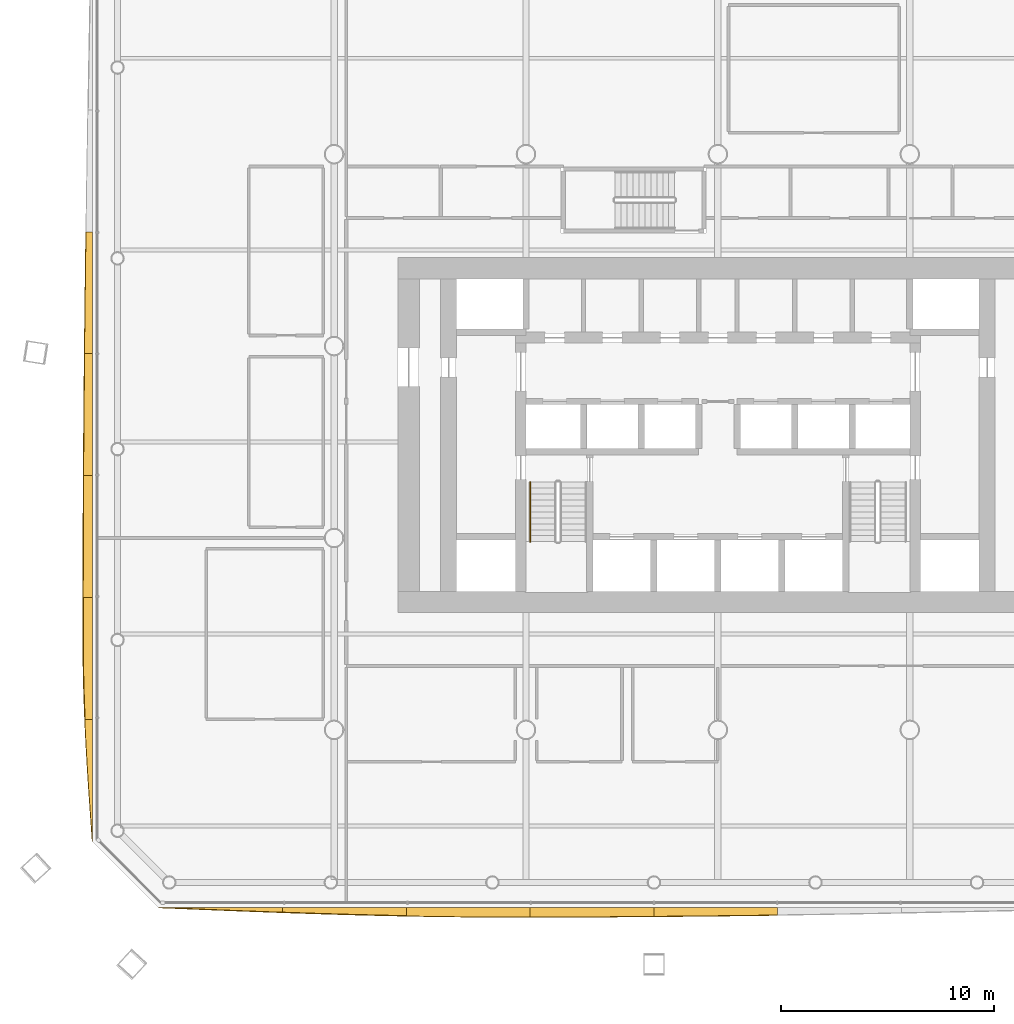
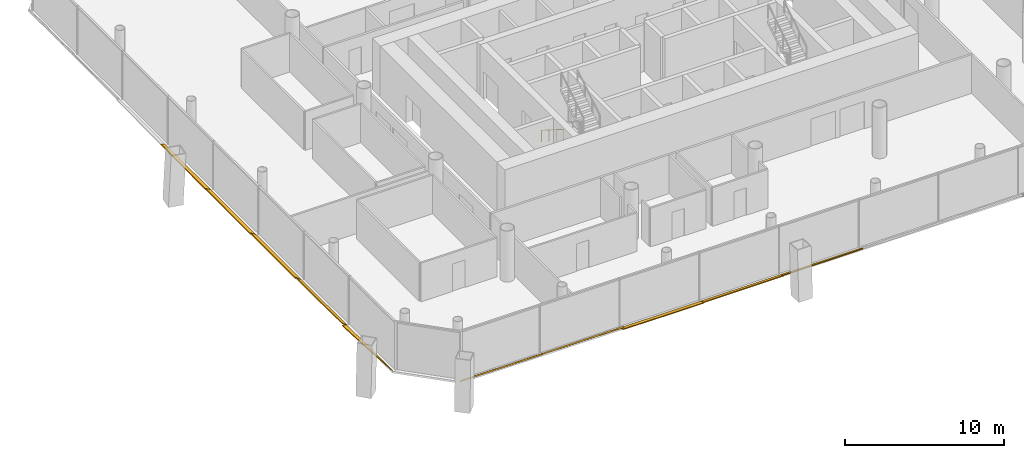
# One storey, part 16 of 20: 10 shading devices, 1 railing.
"""IFC4 building model written with IfcOpenShell, lengths in metres."""

from ifc_helpers import new_model, si_unit, direction, frame, origin, origin_2d, place, context, subcontext, project, spatial, polyline, circle, outline, extrude, material, layer, layer_set, type_object, element, save


model = new_model("IFC4")

# Units and contexts
model_context = context("Model", 3, precision=1e-05, world=origin(), true_north=direction((0.0, 1.0)))
body_context = subcontext(model_context, "Body", "Model", "MODEL_VIEW")
ifc_project = project(units=[si_unit("LENGTHUNIT", "METRE"), si_unit("AREAUNIT", "SQUARE_METRE"), si_unit("VOLUMEUNIT", "CUBIC_METRE"), si_unit("PLANEANGLEUNIT", "RADIAN"), si_unit("MASSUNIT", "GRAM", prefix="KILO")], contexts=[model_context])

# Site, building, storey
site_placement = place(None, origin())
site = spatial("IfcSite", under=ifc_project, at=site_placement, CompositionType="ELEMENT")
building_placement = place(site_placement, origin())
building = spatial("IfcBuilding", under=site, at=building_placement, Name="Tskaro Facet Tower", CompositionType="ELEMENT")
storey_placement = place(building_placement, frame((0.0, 0.0, 49.800048828125)))
storey = spatial("IfcBuildingStorey", under=building, at=storey_placement, Name="L11", CompositionType="ELEMENT", Elevation=49.800048828125)

# Shading devices
ifc_material_1 = material(Name="Bronze anodised aluminium 6063-T6", Category="aluminium")
ifc_layer = layer(ifc_material_1, 0.06005859375, Name="Bronze anodised aluminium 6063-T6")
ifc_layer_set = layer_set([ifc_layer], Name="Bronze anodised aluminium 6063-T6")
shading_device_type = type_object("IfcShadingDeviceType", Name="Bronze sun blade (FN1)", PredefinedType="USERDEFINED", material=ifc_layer_set)
shading_device_1_placement = place(storey_placement, frame((-26.22607421875, -26.322509765625, 0.049072265625), z_axis=(-1.3580784e-05, 0.57346234431, 0.819231920443), x_axis=(0.999999999908, 7.788068e-06, 1.1125811e-05)))
element("IfcShadingDevice", 1, at=shading_device_1_placement, inside=storey, type_object=shading_device_type, Name="Fin blade south 1", ObjectType="FIN", PredefinedType="USERDEFINED", context=body_context, shape_type="SweptSolid", body=[
    extrude(outline(polyline([(0.0, 0.0), (5.806640624464519, 0.0), (5.806640625551024, -0.27959089396815595), (5.080810546406454, -0.24734963772116636), (4.35498046753351, -0.21422834718455674), (3.6291503908335767, -0.18002701456523154), (2.903320312503886, -0.14514565544938177), (2.1774902344458207, -0.10938426204391193), (1.4516601555728772, -0.0732828553901798), (0.7258300777864386, -0.0366414276950899), (0.0, 0.0)])), origin(), (0.0, 0.0, -1.0), 0.06005859375),
])
shading_device_2_placement = place(storey_placement, frame((-20.41943359375, -26.318359375, 0.0458984375), z_axis=(-1.3960097e-05, 0.642688066279, 0.766127958808), x_axis=(0.999999999903, 8.971987e-06, 1.069522e-05)))
element("IfcShadingDevice", 2, at=shading_device_2_placement, inside=storey, type_object=shading_device_type, Name="Fin blade south 2", ObjectType="FIN", PredefinedType="USERDEFINED", context=body_context, shape_type="SweptSolid", body=[
    extrude(outline(polyline([(0.0, 0.0), (5.806396483809213, -4.918209127087164e-21), (5.806396485797756, -0.5119006385240311), (5.080566405580343, -0.49233189220039336), (4.354736327640227, -0.4706693138347905), (3.6289062493662714, -0.4467559971610261), (2.9030761733696133, -0.42074884844529664), (2.177490233283238, -0.39286504733882904), (1.4516601552698951, -0.3632313634153047), (0.7258300773434233, -0.3316908904085272), (3.452445456336694e-10, -0.2989315267683129), (0.0, 0.0)])), origin(), (0.0, 0.0, -1.0), 0.06005859375),
])
shading_device_3_placement = place(storey_placement, frame((-14.613037109375, -26.33642578125, 0.056396484375), z_axis=(-1.1000422e-05, 0.341953794503, 0.939716767066), x_axis=(0.999999999939, 3.761636e-06, 1.0337281e-05)))
element("IfcShadingDevice", 3, at=shading_device_3_placement, inside=storey, type_object=shading_device_type, Name="Fin blade south 3", ObjectType="FIN", PredefinedType="USERDEFINED", context=body_context, shape_type="SweptSolid", body=[
    extrude(outline(polyline([(0.0, 0.0), (5.806640624648671, 0.0), (5.806640625090977, -0.47181570001814377), (5.2026367179591535, -0.472045123056992), (5.0808105460915245, -0.472045123056992), (4.3549804684731495, -0.47050161519767036), (3.629150390630469, -0.46687226858821457), (2.9033203125634826, -0.4611570832286245), (2.1774902342721916, -0.45335605911890026), (1.451660156674963, -0.4432397732201935), (0.7258300779350609, -0.43126707161020084), (-1.0291463821138496e-09, -0.41720853125007396), (0.0, 0.0)])), origin(), (0.0, 0.0, -1.0), 0.06005859375),
])
shading_device_4_placement = place(storey_placement, frame((-8.806396484375, -26.33154296875, 0.054443359375), z_axis=(6.1084e-07, 0.422255740364, 0.906476745278), x_axis=(1.0, -2.5793e-07, -5.53712e-07)))
element("IfcShadingDevice", 4, at=shading_device_4_placement, inside=storey, type_object=shading_device_type, Name="Fin blade south 4", ObjectType="FIN", PredefinedType="USERDEFINED", context=body_context, shape_type="SweptSolid", body=[
    extrude(outline(polyline([(0.0, 0.0), (5.806396484373917, 1.5369403522147388e-22), (5.806396484367302, -0.46136590465613975), (5.0805664062759694, -0.46726557404084534), (4.35473632819388, -0.47261953804690837), (3.628906249995088, -0.47698518107604876), (2.9030761718685083, -0.4810264265256866), (2.177246093760411, -0.48397626121803944), (1.4514160155263698, -0.4864834803121121), (0.7258300781339659, -0.4880175066676773), (-9.380622353407108e-12, -0.48910891742496243), (0.0, 0.0)])), origin(), (0.0, 0.0, -1.0), 0.06005859375),
])
shading_device_5_placement = place(storey_placement, frame((-3.0, -26.326904296875, 0.052001953125), z_axis=(-6.548409e-06, 0.499771472779, 0.866157303816), x_axis=(0.999999999979, 3.272708e-06, 5.671952e-06)))
element("IfcShadingDevice", 5, at=shading_device_5_placement, inside=storey, type_object=shading_device_type, Name="Fin blade south 5", ObjectType="FIN", PredefinedType="USERDEFINED", context=body_context, shape_type="SweptSolid", body=[
    extrude(outline(polyline([(0.0, 0.0), (5.806396484250506, 0.0), (5.806396484152411, -0.40841574328813035), (5.080566406518028, -0.4200141233672714), (4.354980468337136, -0.4309455460359515), (3.6291503897444946, -0.4413320258138946), (2.9033203121641034, -0.4509620985155944), (2.1774902347969602, -0.4600472283265573), (1.4516601570573116, -0.46825393654155284), (0.7258300781461571, -0.4757936873460873), (-5.51749350845315e-10, -0.4827884952598848), (0.0, 0.0)])), origin(), (0.0, 0.0, -1.0), 0.06005859375),
])
shading_device_6_placement = place(storey_placement, frame((-29.33154296875, 5.3583984375, 0.054443359375), z_axis=(0.422297466942, 7.812306e-06, 0.906457306967), x_axis=(3.299117e-06, -0.999999999969, 7.081522e-06)))
element("IfcShadingDevice", 6, at=shading_device_6_placement, inside=storey, type_object=shading_device_type, Name="Fin blade west 4", ObjectType="FIN", PredefinedType="USERDEFINED", context=body_context, shape_type="SweptSolid", body=[
    extrude(outline(polyline([(0.0, 0.0), (5.716796874825546, 4.842315305885424e-21), (5.716796874949922, -0.4110125364937338), (5.002197265437774, -0.40238433927006606), (4.287597656731074, -0.39353483899293284), (3.572998047100934, -0.384360935694816), (2.8583984373528044, -0.37464132632225), (2.143798828410124, -0.36470041389621854), (1.429199218544004, -0.3544350984492034), (0.7145996085598942, -0.3436240769277391), (-6.187670002950212e-10, -0.3325917523528094), (0.0, 0.0)])), origin(), (0.0, 0.0, -1.0), 0.06005859375),
])
shading_device_7_placement = place(storey_placement, frame((-29.326904296875, -0.3583984375, 0.052001953125), z_axis=(0.499856449244, 1.5762253e-05, 0.866108266847), x_axis=(7.878864e-06, -0.999999999876, 1.3651818e-05)))
element("IfcShadingDevice", 7, at=shading_device_7_placement, inside=storey, type_object=shading_device_type, Name="Fin blade west 5", ObjectType="FIN", PredefinedType="USERDEFINED", context=body_context, shape_type="SweptSolid", body=[
    extrude(outline(polyline([(0.0, 0.0), (5.7170410149148045, 0.0), (5.717041015525945, -0.4854237661880083), (5.002441406124583, -0.4800637862039984), (4.28784179723736, -0.4741588665268208), (3.5732421869407234, -0.46792045937008725), (2.858642577158226, -0.4611371125201859), (2.1440429692992793, -0.45414231345667266), (1.4291992179965372, -0.44648053943404775), (0.7145996092423159, -0.4386073131978108), (-2.3307305235013506e-09, -0.43006711200246217), (0.0, 0.0)])), origin(), (0.0, 0.0, -1.0), 0.06005859375),
])
shading_device_8_placement = place(storey_placement, frame((-29.322509765625, -6.075439453125, 0.049072265625), z_axis=(0.573551351959, -8.27425e-07, 0.819169607996), x_axis=(-4.74571e-07, -1.0, -6.77801e-07)))
element("IfcShadingDevice", 8, at=shading_device_8_placement, inside=storey, type_object=shading_device_type, Name="Fin blade west 6", ObjectType="FIN", PredefinedType="USERDEFINED", context=body_context, shape_type="SweptSolid", body=[
    extrude(outline(polyline([(0.0, 0.0), (5.716796874998043, -3.02644706617839e-22), (5.716796875112782, -0.5399410263609925), (5.00219726553929, -0.5383209893239177), (4.287597656296757, -0.536420897915769), (3.572998046872117, -0.5337808015818511), (2.858398437381232, -0.5306006929022418), (2.1437988281054423, -0.526940537271481), (1.4291992188792695, -0.5229403618751062), (0.7145996093055107, -0.5183402087384993), (1.1232665559750508e-10, -0.5131199814652041), (0.0, 0.0)])), origin(), (0.0, 0.0, -1.0), 0.06005859375),
])
shading_device_9_placement = place(storey_placement, frame((-29.318359375, -11.792236328125, 0.0458984375), z_axis=(0.642684222414, -3.78386e-07, 0.766131183453), x_axis=(-2.43183e-07, -1.0, -2.89894e-07)))
element("IfcShadingDevice", 9, at=shading_device_9_placement, inside=storey, type_object=shading_device_type, Name="Fin blade west 7", ObjectType="FIN", PredefinedType="USERDEFINED", context=body_context, shape_type="SweptSolid", body=[
    extrude(outline(polyline([(0.0, 0.0), (5.7167968749995905, 1.513223533089195e-22), (5.716796875002335, -0.46269820831908515), (5.002197265637844, -0.4999590487147518), (4.2875976562411395, -0.5302806308000101), (3.5729980468829994, -0.5535060492471223), (2.8583984375040505, -0.569448260310128), (2.1437988281156977, -0.577763314915329), (1.7380371093908855, -0.5789822058823838), (1.4291992187659077, -0.5789822058823838), (0.7145996093429922, -0.5784512130627253), (2.2551833947306063e-12, -0.5774193658416308), (0.0, 0.0)])), origin(), (0.0, 0.0, -1.0), 0.06005859375),
])
shading_device_10_placement = place(storey_placement, frame((-29.33642578125, -17.509033203125, 0.056396484375), z_axis=(0.341574201829, -1.4086167e-05, 0.939854810301), x_axis=(-4.811471e-06, -0.999999999901, -1.3238952e-05)))
element("IfcShadingDevice", 10, at=shading_device_10_placement, inside=storey, type_object=shading_device_type, Name="Fin blade west 8", ObjectType="FIN", PredefinedType="USERDEFINED", context=body_context, shape_type="SweptSolid", body=[
    extrude(outline(polyline([(0.0, 0.0), (5.717041015057813, -4.842522101038562e-21), (5.00244140679097, -0.054523718145612805), (4.287841798232266, -0.108275673929642), (3.5732421870323505, -0.16079695387044962), (2.8586425781890186, -0.21091955458737974), (2.143798828727943, -0.25818456259879435), (1.4291992175497246, -0.3021330644230556), (0.714599606969692, -0.3419099055594531), (-9.546637626085838e-10, -0.3772022371280413), (0.0, 0.0)])), origin(), (0.0, 0.0, -1.0), 0.06005859375),
])

# Railing
ifc_material_2 = material(Name="Stainless steel", Category="steel")
railing_type = type_object("IfcRailingType", Name="RL-HANDRAIL-900", PredefinedType="HANDRAIL", material=ifc_material_2)
railing_placement = place(storey_placement, frame((-8.800048828125, -6.375, 0.17724609375)))
element("IfcRailing", 11, at=railing_placement, inside=storey, type_object=railing_type, Name="L11 ST-1 stair handrail 1", PredefinedType="HANDRAIL", context=body_context, shape_type="SweptSolid", body=[
    extrude(circle(Radius=0.02392578125, at=origin_2d()), frame((0.0, 0.0, 0.8759765625), z_axis=(0.0, -0.844908973607, 0.534910110503), x_axis=(1.0, 0.0, 0.0)), (0.0, 0.0, 1.0), 3.31396484375),
    extrude(circle(Radius=0.02099609375, at=origin_2d()), origin(), (0.0, 0.0, 1.0), 0.851806640625),
    extrude(circle(Radius=0.02099609375, at=origin_2d()), frame((0.0, -0.933349609375, 0.5908203125)), (0.0, 0.0, 1.0), 0.851806640625),
    extrude(circle(Radius=0.02099609375, at=origin_2d()), frame((0.0, -1.86669921875, 1.181884765625)), (0.0, 0.0, 1.0), 0.851806640625),
    extrude(circle(Radius=0.02099609375, at=origin_2d()), frame((0.0, -2.800048828125, 1.772705078125)), (0.0, 0.0, 1.0), 0.851806640625),
])

save(model, "model.ifc")
